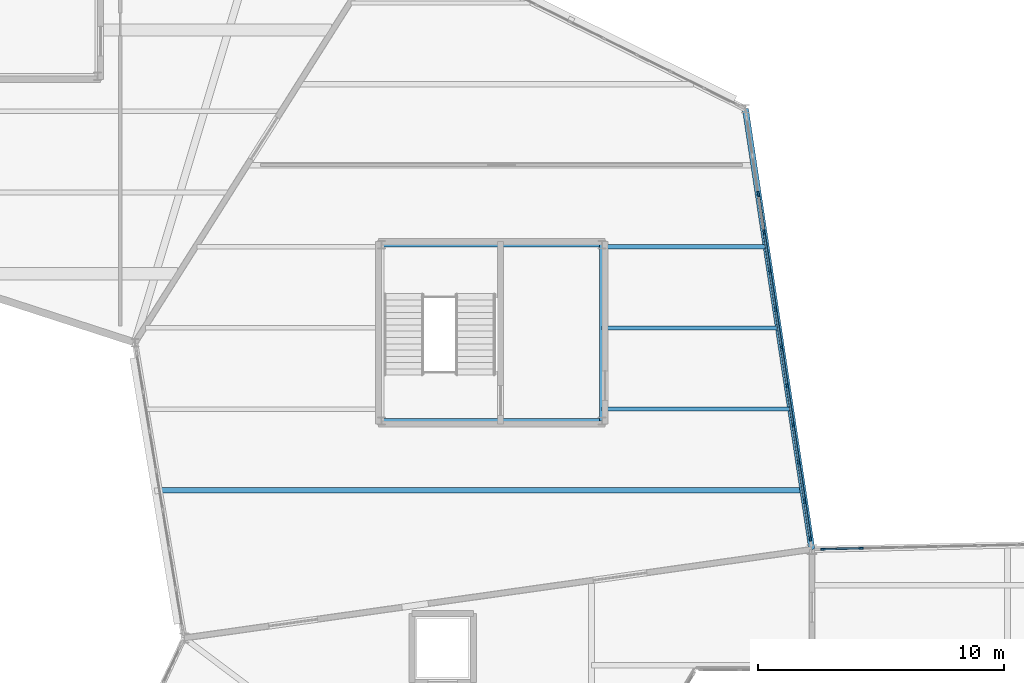
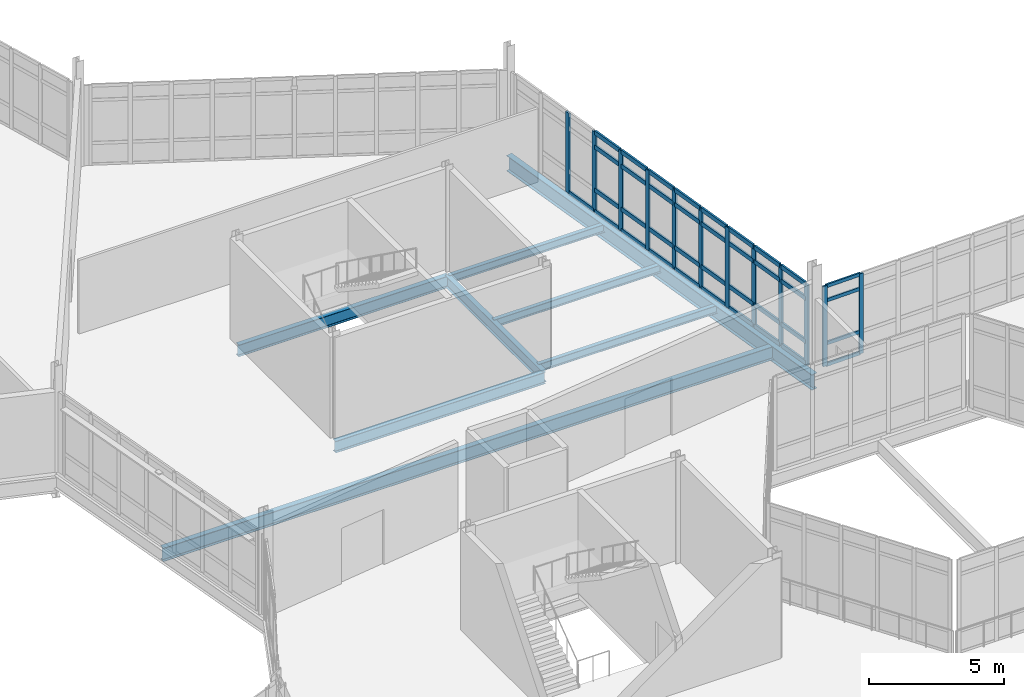
# One storey, part 46 of 134: 49 members, 8 beams, 2 elements without a shape of their own.
"""IFC4 building model written with IfcOpenShell, lengths in metres."""

from ifc_helpers import new_model, si_unit, direction, frame, origin, origin_2d, place, context, subcontext, project, spatial, rectangle, i_section, extrude, material, material_profile, profile_set, type_object, element, aggregate, save


model = new_model("IFC4")

# Units and contexts
model_context = context("Model", 3, precision=1e-05, world=origin(), true_north=direction((0.0, 1.0)))
body_context = subcontext(model_context, "Body", "Model", "MODEL_VIEW")
ifc_project = project(units=[si_unit("LENGTHUNIT", "METRE"), si_unit("AREAUNIT", "SQUARE_METRE"), si_unit("VOLUMEUNIT", "CUBIC_METRE"), si_unit("PLANEANGLEUNIT", "RADIAN"), si_unit("MASSUNIT", "GRAM", prefix="KILO")], contexts=[model_context])

# Site, building, storey
site_placement = place(None, origin())
site = spatial("IfcSite", under=ifc_project, at=site_placement, CompositionType="ELEMENT")
building_placement = place(site_placement, origin())
building = spatial("IfcBuilding", under=site, at=building_placement, Name="Tameran Prism Museum", CompositionType="ELEMENT")
storey_placement = place(building_placement, frame((0.0, 0.0, 5.39990234375)))
storey = spatial("IfcBuildingStorey", under=building, at=storey_placement, Name="L01", CompositionType="ELEMENT", Elevation=5.39990234375)

# Beams
ifc_material_1 = material(Name="Steel Grade 300PLUS (300 MPa)", Category="steel")
ifc_material_profile_1 = material_profile(ifc_material_1, i_section(OverallWidth=0.172119140625, OverallDepth=0.35888671875, WebThickness=0.008056640625, FlangeThickness=0.012939453125, FilletRadius=0.011474609375, at=origin_2d()))
ifc_profile_set_1 = profile_set([ifc_material_profile_1])
beam_type_1 = type_object("IfcBeamType", Name="BM-J360A", PredefinedType="JOIST", material=ifc_profile_set_1)
beam_1_placement = place(storey_placement, frame((68.97998046875, 53.89990234375, -0.37939453125), z_axis=(1.0, 0.0, 0.0), x_axis=(0.0, 1.0, 0.0)))
element("IfcBeam", 1, at=beam_1_placement, inside=storey, type_object=beam_type_1, Name="Floor Beam BM-0553", PredefinedType="JOIST", context=body_context, shape_type="SweptSolid", body=[
    extrude(i_section(OverallWidth=0.172119140625, OverallDepth=0.35888671875, WebThickness=0.008056640625, FlangeThickness=0.012939453125, FilletRadius=0.011474609375, at=origin_2d()), origin(), (0.0, 0.0, 1.0), 7.6201171875),
])
beam_2_placement = place(storey_placement, frame((68.97998046875, 60.5, -0.37939453125), z_axis=(1.0, 0.0, 0.0), x_axis=(0.0, 1.0, 0.0)))
element("IfcBeam", 2, at=beam_2_placement, inside=storey, type_object=beam_type_1, Name="Floor Beam BM-0557", PredefinedType="JOIST", context=body_context, shape_type="SweptSolid", body=[
    extrude(i_section(OverallWidth=0.172119140625, OverallDepth=0.35888671875, WebThickness=0.008056640625, FlangeThickness=0.012939453125, FilletRadius=0.011474609375, at=origin_2d()), origin(), (0.0, 0.0, 1.0), 6.6240234375),
])
ifc_material_2 = material(Name="Steel Grade 300PLUS (300 MPa)", Category="steel")
ifc_material_profile_2 = material_profile(ifc_material_2, i_section(OverallWidth=0.1708984375, OverallDepth=0.35595703125, WebThickness=0.00732421875, FlangeThickness=0.011474609375, FilletRadius=0.011474609375, at=origin_2d()))
ifc_profile_set_2 = profile_set([ifc_material_profile_2])
beam_type_2 = type_object("IfcBeamType", Name="BM-J360B", PredefinedType="JOIST", material=ifc_profile_set_2)
beam_3_placement = place(storey_placement, frame((68.97998046875, 57.199951171875, -0.3779296875), z_axis=(1.0, 0.0, 0.0), x_axis=(0.0, 1.0, 0.0)))
element("IfcBeam", 3, at=beam_3_placement, inside=storey, type_object=beam_type_2, Name="Floor Beam BM-0555", PredefinedType="JOIST", context=body_context, shape_type="SweptSolid", body=[
    extrude(i_section(OverallWidth=0.1708984375, OverallDepth=0.35595703125, WebThickness=0.00732421875, FlangeThickness=0.011474609375, FilletRadius=0.011474609375, at=origin_2d()), origin(), (0.0, 0.0, 1.0), 7.1220703125),
])
ifc_material_3 = material(Name="Steel Grade 300PLUS (300 MPa)", Category="steel")
ifc_material_profile_3 = material_profile(ifc_material_3, i_section(OverallWidth=0.208984375, OverallDepth=0.528076171875, WebThickness=0.009521484375, FlangeThickness=0.01318359375, FilletRadius=0.013916015625, at=origin_2d()))
ifc_profile_set_3 = profile_set([ifc_material_profile_3])
beam_type_3 = type_object("IfcBeamType", Name="BM-SP530B", PredefinedType="SPANDREL", material=ifc_profile_set_3)
beam_4_placement = place(storey_placement, frame((60.02001953125, 53.419921875, -0.50390625), z_axis=(1.0, 0.0, 0.0), x_axis=(0.0, 1.0, 0.0)))
element("IfcBeam", 4, at=beam_4_placement, inside=storey, type_object=beam_type_3, Name="Core Ring Beam CTB-0454", PredefinedType="SPANDREL", context=body_context, shape_type="SweptSolid", body=[
    extrude(i_section(OverallWidth=0.208984375, OverallDepth=0.528076171875, WebThickness=0.009521484375, FlangeThickness=0.01318359375, FilletRadius=0.013916015625, at=origin_2d()), origin(), (0.0, 0.0, 1.0), 8.9599609375),
])
beam_5_placement = place(storey_placement, frame((68.97998046875, 53.419921875, -0.50390625), z_axis=(0.0, 1.0, 0.0), x_axis=(-1.0, 0.0, 0.0)))
element("IfcBeam", 5, at=beam_5_placement, inside=storey, type_object=beam_type_3, Name="Core Ring Beam CTB-0455", PredefinedType="SPANDREL", context=body_context, shape_type="SweptSolid", body=[
    extrude(i_section(OverallWidth=0.208984375, OverallDepth=0.528076171875, WebThickness=0.009521484375, FlangeThickness=0.01318359375, FilletRadius=0.013916015625, at=origin_2d()), origin(), (0.0, 0.0, 1.0), 7.16015625),
])
beam_6_placement = place(storey_placement, frame((68.97998046875, 60.580078125, -0.50390625), z_axis=(-1.0, 0.0, 0.0), x_axis=(0.0, -1.0, 0.0)))
element("IfcBeam", 6, at=beam_6_placement, inside=storey, type_object=beam_type_3, Name="Core Ring Beam CTB-0456", PredefinedType="SPANDREL", context=body_context, shape_type="SweptSolid", body=[
    extrude(i_section(OverallWidth=0.208984375, OverallDepth=0.528076171875, WebThickness=0.009521484375, FlangeThickness=0.01318359375, FilletRadius=0.013916015625, at=origin_2d()), origin(), (0.0, 0.0, 1.0), 8.9599609375),
])
ifc_material_4 = material(Name="Steel Grade 350 (350 MPa)", Category="steel")
ifc_material_profile_4 = material_profile(ifc_material_4, i_section(OverallWidth=0.25, OverallDepth=0.699951171875, WebThickness=0.010009765625, FlangeThickness=0.02001953125, at=origin_2d()))
ifc_profile_set_4 = profile_set([ifc_material_profile_4])
beam_type_4 = type_object("IfcBeamType", Name="BM-SP700", PredefinedType="SPANDREL", material=ifc_profile_set_4)
beam_7_placement = place(storey_placement, frame((77.5, 48.199951171875, -0.5498046875), z_axis=(-0.149146954301, 0.988815041361, 0.0), x_axis=(-0.988815041361, -0.149146954301, 0.0)))
element("IfcBeam", 7, at=beam_7_placement, inside=storey, type_object=beam_type_4, Name="Perimeter Spandrel SP-0357", PredefinedType="SPANDREL", context=body_context, shape_type="SweptSolid", body=[
    extrude(i_section(OverallWidth=0.25, OverallDepth=0.699951171875, WebThickness=0.010009765625, FlangeThickness=0.02001953125, at=origin_2d()), origin(), (0.0, 0.0, 1.0), 18.1025390625),
])
ifc_material_5 = material(Name="Steel Grade 300PLUS (300 MPa)", Category="steel")
ifc_material_profile_5 = material_profile(ifc_material_5, i_section(OverallWidth=0.22802734375, OverallDepth=0.60693359375, WebThickness=0.01123046875, FlangeThickness=0.017333984375, FilletRadius=0.013916015625, at=origin_2d()))
ifc_profile_set_5 = profile_set([ifc_material_profile_5])
beam_type_5 = type_object("IfcBeamType", Name="BM-UB610B", PredefinedType="BEAM", material=ifc_profile_set_5)
beam_8_placement = place(storey_placement, frame((51.041015625, 50.60009765625, -0.50341796875), z_axis=(1.0, 0.0, 0.0), x_axis=(0.0, 1.0, 0.0)))
element("IfcBeam", 8, at=beam_8_placement, inside=storey, type_object=beam_type_5, Name="Floor Beam BM-0551", PredefinedType="BEAM", context=body_context, shape_type="SweptSolid", body=[
    extrude(i_section(OverallWidth=0.22802734375, OverallDepth=0.60693359375, WebThickness=0.01123046875, FlangeThickness=0.017333984375, FilletRadius=0.013916015625, at=origin_2d()), origin(), (0.0, 0.0, 1.0), 26.056884765625),
])

# Curtain wall, members
ifc_material_6 = material(Name="Anodised Aluminium 6063-T6 and Cyclone Solar Glass", Category="aluminium")
curtain_wall_type_1 = type_object("IfcCurtainWallType", Name="CW-FAC-1754x362", PredefinedType="USERDEFINED", material=ifc_material_6)
curtain_wall_1_placement = place(storey_placement, origin())
curtain_wall_1 = element("IfcCurtainWall", 9, at=curtain_wall_1_placement, inside=storey, type_object=curtain_wall_type_1, Name="Unitised Curtain Wall CW-068", ObjectType="UNITISED CURTAIN WALL", PredefinedType="USERDEFINED")
ifc_material_7 = material(Name="Anodised Aluminium Alloy 6063-T6", Category="aluminium")
ifc_material_profile_6 = material_profile(ifc_material_7, rectangle(XDim=0.070068359375, YDim=0.179931640625, at=origin_2d()))
ifc_profile_set_6 = profile_set([ifc_material_profile_6])
member_type_1 = type_object("IfcMemberType", Name="CW-MUL-B", PredefinedType="MULLION", material=ifc_profile_set_6)
member_1_placement = place(storey_placement, frame((77.945068359375, 48.209716796875, 0.0), z_axis=(0.0, 0.0, 1.0), x_axis=(-0.021830600058, 0.999761684053, 0.0)))
member_1 = element("IfcMember", 10, at=member_1_placement, type_object=member_type_1, Name="CW-068 mullion 1", PredefinedType="MULLION", context=body_context, shape_type="SweptSolid", body=[
    extrude(rectangle(XDim=0.070068359375, YDim=0.179931640625, at=origin_2d()), origin(), (0.0, 0.0, 1.0), 3.6201171875),
])
member_2_placement = place(storey_placement, frame((79.504638671875, 48.243896484375, 0.0), z_axis=(0.0, 0.0, 1.0), x_axis=(-0.021830600058, 0.999761684053, 0.0)))
member_2 = element("IfcMember", 11, at=member_2_placement, type_object=member_type_1, Name="CW-068 mullion 2", PredefinedType="MULLION", context=body_context, shape_type="SweptSolid", body=[
    extrude(rectangle(XDim=0.070068359375, YDim=0.179931640625, at=origin_2d()), origin(), (0.0, 0.0, 1.0), 3.6201171875),
])

ifc_material_8 = material(Name="Anodised Aluminium 6063-T6 and Cyclone Solar Glass", Category="aluminium")
curtain_wall_type_2 = type_object("IfcCurtainWallType", Name="CW-FAC-1734x362", PredefinedType="USERDEFINED", material=ifc_material_8)
curtain_wall_2_placement = place(storey_placement, origin())
curtain_wall_2 = element("IfcCurtainWall", 12, at=curtain_wall_2_placement, inside=storey, type_object=curtain_wall_type_2, Name="Unitised Curtain Wall CW-070", ObjectType="UNITISED CURTAIN WALL", PredefinedType="USERDEFINED")
ifc_material_9 = material(Name="Anodised Aluminium Alloy 6063-T6", Category="aluminium")
ifc_material_profile_7 = material_profile(ifc_material_9, rectangle(XDim=0.080078125, YDim=0.219970703125, at=origin_2d()))
ifc_profile_set_7 = profile_set([ifc_material_profile_7])
member_type_2 = type_object("IfcMemberType", Name="CW-MUL-D", PredefinedType="MULLION", material=ifc_profile_set_7)
member_3_placement = place(storey_placement, frame((75.322265625, 62.635986328125, 0.0), z_axis=(0.0, 0.0, 1.0), x_axis=(0.988812088052, 0.149166532852, 0.0)))
member_3 = element("IfcMember", 13, at=member_3_placement, type_object=member_type_2, Name="CW-070 mullion 3", PredefinedType="MULLION", context=body_context, shape_type="SweptSolid", body=[
    extrude(rectangle(XDim=0.080078125, YDim=0.219970703125, at=origin_2d()), origin(), (0.0, 0.0, 1.0), 3.6201171875),
])
member_4_placement = place(storey_placement, frame((75.5576171875, 61.076904296875, 0.0), z_axis=(0.0, 0.0, 1.0), x_axis=(0.988812088052, 0.149166532852, 0.0)))
member_4 = element("IfcMember", 14, at=member_4_placement, type_object=member_type_2, Name="CW-070 mullion 4", PredefinedType="MULLION", context=body_context, shape_type="SweptSolid", body=[
    extrude(rectangle(XDim=0.080078125, YDim=0.219970703125, at=origin_2d()), origin(), (0.0, 0.0, 1.0), 3.6201171875),
])
member_5_placement = place(storey_placement, frame((75.792724609375, 59.51806640625, 0.0), z_axis=(0.0, 0.0, 1.0), x_axis=(0.988812088052, 0.149166532852, 0.0)))
member_5 = element("IfcMember", 15, at=member_5_placement, type_object=member_type_2, Name="CW-070 mullion 5", PredefinedType="MULLION", context=body_context, shape_type="SweptSolid", body=[
    extrude(rectangle(XDim=0.080078125, YDim=0.219970703125, at=origin_2d()), origin(), (0.0, 0.0, 1.0), 3.6201171875),
])
member_6_placement = place(storey_placement, frame((76.02783203125, 57.958984375, 0.0), z_axis=(0.0, 0.0, 1.0), x_axis=(0.988812088052, 0.149166532852, 0.0)))
member_6 = element("IfcMember", 16, at=member_6_placement, type_object=member_type_2, Name="CW-070 mullion 6", PredefinedType="MULLION", context=body_context, shape_type="SweptSolid", body=[
    extrude(rectangle(XDim=0.080078125, YDim=0.219970703125, at=origin_2d()), origin(), (0.0, 0.0, 1.0), 3.6201171875),
])
member_7_placement = place(storey_placement, frame((76.26318359375, 56.39990234375, 0.0), z_axis=(0.0, 0.0, 1.0), x_axis=(0.988812088052, 0.149166532852, 0.0)))
member_7 = element("IfcMember", 17, at=member_7_placement, type_object=member_type_2, Name="CW-070 mullion 7", PredefinedType="MULLION", context=body_context, shape_type="SweptSolid", body=[
    extrude(rectangle(XDim=0.080078125, YDim=0.219970703125, at=origin_2d()), origin(), (0.0, 0.0, 1.0), 3.6201171875),
])
member_8_placement = place(storey_placement, frame((76.498291015625, 54.841064453125, 0.0), z_axis=(0.0, 0.0, 1.0), x_axis=(0.988812088052, 0.149166532852, 0.0)))
member_8 = element("IfcMember", 18, at=member_8_placement, type_object=member_type_2, Name="CW-070 mullion 8", PredefinedType="MULLION", context=body_context, shape_type="SweptSolid", body=[
    extrude(rectangle(XDim=0.080078125, YDim=0.219970703125, at=origin_2d()), origin(), (0.0, 0.0, 1.0), 3.6201171875),
])
member_9_placement = place(storey_placement, frame((76.7333984375, 53.281982421875, 0.0), z_axis=(0.0, 0.0, 1.0), x_axis=(0.988812088052, 0.149166532852, 0.0)))
member_9 = element("IfcMember", 19, at=member_9_placement, type_object=member_type_2, Name="CW-070 mullion 9", PredefinedType="MULLION", context=body_context, shape_type="SweptSolid", body=[
    extrude(rectangle(XDim=0.080078125, YDim=0.219970703125, at=origin_2d()), origin(), (0.0, 0.0, 1.0), 3.6201171875),
])
member_10_placement = place(storey_placement, frame((76.96875, 51.722900390625, 0.0), z_axis=(0.0, 0.0, 1.0), x_axis=(0.988812088052, 0.149166532852, 0.0)))
member_10 = element("IfcMember", 20, at=member_10_placement, type_object=member_type_2, Name="CW-070 mullion 10", PredefinedType="MULLION", context=body_context, shape_type="SweptSolid", body=[
    extrude(rectangle(XDim=0.080078125, YDim=0.219970703125, at=origin_2d()), origin(), (0.0, 0.0, 1.0), 3.6201171875),
])
member_11_placement = place(storey_placement, frame((77.203857421875, 50.1640625, 0.0), z_axis=(0.0, 0.0, 1.0), x_axis=(0.988812088052, 0.149166532852, 0.0)))
member_11 = element("IfcMember", 21, at=member_11_placement, type_object=member_type_2, Name="CW-070 mullion 11", PredefinedType="MULLION", context=body_context, shape_type="SweptSolid", body=[
    extrude(rectangle(XDim=0.080078125, YDim=0.219970703125, at=origin_2d()), origin(), (0.0, 0.0, 1.0), 3.6201171875),
])
member_12_placement = place(storey_placement, frame((77.43310546875, 48.64453125, 0.0), z_axis=(0.0, 0.0, 1.0), x_axis=(0.988812088052, 0.149166532852, 0.0)))
member_12 = element("IfcMember", 22, at=member_12_placement, type_object=member_type_2, Name="CW-070 mullion 12", PredefinedType="MULLION", context=body_context, shape_type="SweptSolid", body=[
    extrude(rectangle(XDim=0.080078125, YDim=0.219970703125, at=origin_2d()), origin(), (0.0, 0.0, 1.0), 3.6201171875),
])

# Member
ifc_material_10 = material(Name="Anodised Aluminium Alloy 6063-T6", Category="aluminium")
ifc_material_profile_8 = material_profile(ifc_material_10, rectangle(XDim=0.070068359375, YDim=0.155029296875, at=origin_2d()))
ifc_profile_set_8 = profile_set([ifc_material_profile_8])
member_type_3 = type_object("IfcMemberType", Name="CW-TRN-B", PredefinedType="USERDEFINED", material=ifc_profile_set_8)
member_13_placement = place(storey_placement, frame((77.97998046875, 48.21044921875, 0.03515625), z_axis=(0.999758887094, 0.021958316812, 0.0), x_axis=(-0.021958316812, 0.999758887094, 0.0)))
member_13 = element("IfcMember", 23, at=member_13_placement, type_object=member_type_3, Name="CW-068 transom 1.1", ObjectType="TRANSOM", PredefinedType="USERDEFINED", context=body_context, shape_type="SweptSolid", body=[
    extrude(rectangle(XDim=0.070068359375, YDim=0.155029296875, at=origin_2d()), origin(), (0.0, 0.0, 1.0), 1.48974609375),
])

member_14_placement = place(storey_placement, frame((77.97998046875, 48.21044921875, 1.0), z_axis=(0.999758887094, 0.021958316812, 0.0), x_axis=(-0.021958316812, 0.999758887094, 0.0)))
member_14 = element("IfcMember", 24, at=member_14_placement, type_object=member_type_3, Name="CW-068 transom 1.2", ObjectType="TRANSOM", PredefinedType="USERDEFINED", context=body_context, shape_type="SweptSolid", body=[
    extrude(rectangle(XDim=0.070068359375, YDim=0.155029296875, at=origin_2d()), origin(), (0.0, 0.0, 1.0), 1.48974609375),
])

member_15_placement = place(storey_placement, frame((77.97998046875, 48.21044921875, 2.940185546875), z_axis=(0.999758887094, 0.021958316812, 0.0), x_axis=(-0.021958316812, 0.999758887094, 0.0)))
member_15 = element("IfcMember", 25, at=member_15_placement, type_object=member_type_3, Name="CW-068 transom 1.3", ObjectType="TRANSOM", PredefinedType="USERDEFINED", context=body_context, shape_type="SweptSolid", body=[
    extrude(rectangle(XDim=0.070068359375, YDim=0.155029296875, at=origin_2d()), origin(), (0.0, 0.0, 1.0), 1.48974609375),
])

member_16_placement = place(storey_placement, frame((77.97998046875, 48.21044921875, 3.585205078125), z_axis=(0.999758887094, 0.021958316812, 0.0), x_axis=(-0.021958316812, 0.999758887094, 0.0)))
member_16 = element("IfcMember", 26, at=member_16_placement, type_object=member_type_3, Name="CW-068 transom 1.4", ObjectType="TRANSOM", PredefinedType="USERDEFINED", context=body_context, shape_type="SweptSolid", body=[
    extrude(rectangle(XDim=0.070068359375, YDim=0.155029296875, at=origin_2d()), origin(), (0.0, 0.0, 1.0), 1.48974609375),
])

aggregate(curtain_wall_1, [member_1, member_2, member_13, member_14, member_15, member_16])

ifc_material_11 = material(Name="Anodised Aluminium Alloy 6063-T6", Category="aluminium")
ifc_material_profile_9 = material_profile(ifc_material_11, rectangle(XDim=0.080078125, YDim=0.195068359375, at=origin_2d()))
ifc_profile_set_9 = profile_set([ifc_material_profile_9])
member_type_4 = type_object("IfcMemberType", Name="CW-TRN-D", PredefinedType="USERDEFINED", material=ifc_profile_set_9)
member_17_placement = place(storey_placement, frame((75.328369140625, 62.596435546875, 0.0400390625), z_axis=(0.149090196477, -0.988823600707, 0.0), x_axis=(0.988823600707, 0.149090196477, 0.0)))
member_17 = element("IfcMember", 27, at=member_17_placement, type_object=member_type_4, Name="CW-070 transom 3.1", ObjectType="TRANSOM", PredefinedType="USERDEFINED", context=body_context, shape_type="SweptSolid", body=[
    extrude(rectangle(XDim=0.080078125, YDim=0.195068359375, at=origin_2d()), origin(), (0.0, 0.0, 1.0), 1.496826171875),
])

member_18_placement = place(storey_placement, frame((75.5634765625, 61.037353515625, 0.0400390625), z_axis=(0.149273759197, -0.988795906553, 0.0), x_axis=(0.988795906553, 0.149273759197, 0.0)))
member_18 = element("IfcMember", 28, at=member_18_placement, type_object=member_type_4, Name="CW-070 transom 4.1", ObjectType="TRANSOM", PredefinedType="USERDEFINED", context=body_context, shape_type="SweptSolid", body=[
    extrude(rectangle(XDim=0.080078125, YDim=0.195068359375, at=origin_2d()), origin(), (0.0, 0.0, 1.0), 1.49658203125),
])

member_19_placement = place(storey_placement, frame((75.5634765625, 61.037353515625, 1.0), z_axis=(0.149273759197, -0.988795906553, 0.0), x_axis=(0.988795906553, 0.149273759197, 0.0)))
member_19 = element("IfcMember", 29, at=member_19_placement, type_object=member_type_4, Name="CW-070 transom 4.2", ObjectType="TRANSOM", PredefinedType="USERDEFINED", context=body_context, shape_type="SweptSolid", body=[
    extrude(rectangle(XDim=0.080078125, YDim=0.195068359375, at=origin_2d()), origin(), (0.0, 0.0, 1.0), 1.49658203125),
])

member_20_placement = place(storey_placement, frame((75.5634765625, 61.037353515625, 2.940185546875), z_axis=(0.149273759197, -0.988795906553, 0.0), x_axis=(0.988795906553, 0.149273759197, 0.0)))
member_20 = element("IfcMember", 30, at=member_20_placement, type_object=member_type_4, Name="CW-070 transom 4.3", ObjectType="TRANSOM", PredefinedType="USERDEFINED", context=body_context, shape_type="SweptSolid", body=[
    extrude(rectangle(XDim=0.080078125, YDim=0.195068359375, at=origin_2d()), origin(), (0.0, 0.0, 1.0), 1.49658203125),
])

member_21_placement = place(storey_placement, frame((75.5634765625, 61.037353515625, 3.580078125), z_axis=(0.149273759197, -0.988795906553, 0.0), x_axis=(0.988795906553, 0.149273759197, 0.0)))
member_21 = element("IfcMember", 31, at=member_21_placement, type_object=member_type_4, Name="CW-070 transom 4.4", ObjectType="TRANSOM", PredefinedType="USERDEFINED", context=body_context, shape_type="SweptSolid", body=[
    extrude(rectangle(XDim=0.080078125, YDim=0.195068359375, at=origin_2d()), origin(), (0.0, 0.0, 1.0), 1.49658203125),
])

member_22_placement = place(storey_placement, frame((75.798583984375, 59.478515625, 0.0400390625), z_axis=(0.149249683257, -0.988799540882, 0.0), x_axis=(0.988799540882, 0.149249683257, 0.0)))
member_22 = element("IfcMember", 32, at=member_22_placement, type_object=member_type_4, Name="CW-070 transom 5.1", ObjectType="TRANSOM", PredefinedType="USERDEFINED", context=body_context, shape_type="SweptSolid", body=[
    extrude(rectangle(XDim=0.080078125, YDim=0.195068359375, at=origin_2d()), origin(), (0.0, 0.0, 1.0), 1.496826171875),
])

member_23_placement = place(storey_placement, frame((75.798583984375, 59.478515625, 1.0), z_axis=(0.149249683257, -0.988799540882, 0.0), x_axis=(0.988799540882, 0.149249683257, 0.0)))
member_23 = element("IfcMember", 33, at=member_23_placement, type_object=member_type_4, Name="CW-070 transom 5.2", ObjectType="TRANSOM", PredefinedType="USERDEFINED", context=body_context, shape_type="SweptSolid", body=[
    extrude(rectangle(XDim=0.080078125, YDim=0.195068359375, at=origin_2d()), origin(), (0.0, 0.0, 1.0), 1.496826171875),
])

member_24_placement = place(storey_placement, frame((75.798583984375, 59.478515625, 2.940185546875), z_axis=(0.149249683257, -0.988799540882, 0.0), x_axis=(0.988799540882, 0.149249683257, 0.0)))
member_24 = element("IfcMember", 34, at=member_24_placement, type_object=member_type_4, Name="CW-070 transom 5.3", ObjectType="TRANSOM", PredefinedType="USERDEFINED", context=body_context, shape_type="SweptSolid", body=[
    extrude(rectangle(XDim=0.080078125, YDim=0.195068359375, at=origin_2d()), origin(), (0.0, 0.0, 1.0), 1.496826171875),
])

member_25_placement = place(storey_placement, frame((75.798583984375, 59.478515625, 3.580078125), z_axis=(0.149249683257, -0.988799540882, 0.0), x_axis=(0.988799540882, 0.149249683257, 0.0)))
member_25 = element("IfcMember", 35, at=member_25_placement, type_object=member_type_4, Name="CW-070 transom 5.4", ObjectType="TRANSOM", PredefinedType="USERDEFINED", context=body_context, shape_type="SweptSolid", body=[
    extrude(rectangle(XDim=0.080078125, YDim=0.195068359375, at=origin_2d()), origin(), (0.0, 0.0, 1.0), 1.496826171875),
])

member_26_placement = place(storey_placement, frame((76.033935546875, 57.91943359375, 0.0400390625), z_axis=(0.149090196477, -0.988823600707, 0.0), x_axis=(0.988823600707, 0.149090196477, 0.0)))
member_26 = element("IfcMember", 36, at=member_26_placement, type_object=member_type_4, Name="CW-070 transom 6.1", ObjectType="TRANSOM", PredefinedType="USERDEFINED", context=body_context, shape_type="SweptSolid", body=[
    extrude(rectangle(XDim=0.080078125, YDim=0.195068359375, at=origin_2d()), origin(), (0.0, 0.0, 1.0), 1.496826171875),
])

member_27_placement = place(storey_placement, frame((76.033935546875, 57.91943359375, 1.0), z_axis=(0.149090196477, -0.988823600707, 0.0), x_axis=(0.988823600707, 0.149090196477, 0.0)))
member_27 = element("IfcMember", 37, at=member_27_placement, type_object=member_type_4, Name="CW-070 transom 6.2", ObjectType="TRANSOM", PredefinedType="USERDEFINED", context=body_context, shape_type="SweptSolid", body=[
    extrude(rectangle(XDim=0.080078125, YDim=0.195068359375, at=origin_2d()), origin(), (0.0, 0.0, 1.0), 1.496826171875),
])

member_28_placement = place(storey_placement, frame((76.033935546875, 57.91943359375, 2.940185546875), z_axis=(0.149090196477, -0.988823600707, 0.0), x_axis=(0.988823600707, 0.149090196477, 0.0)))
member_28 = element("IfcMember", 38, at=member_28_placement, type_object=member_type_4, Name="CW-070 transom 6.3", ObjectType="TRANSOM", PredefinedType="USERDEFINED", context=body_context, shape_type="SweptSolid", body=[
    extrude(rectangle(XDim=0.080078125, YDim=0.195068359375, at=origin_2d()), origin(), (0.0, 0.0, 1.0), 1.496826171875),
])

member_29_placement = place(storey_placement, frame((76.033935546875, 57.91943359375, 3.580078125), z_axis=(0.149090196477, -0.988823600707, 0.0), x_axis=(0.988823600707, 0.149090196477, 0.0)))
member_29 = element("IfcMember", 39, at=member_29_placement, type_object=member_type_4, Name="CW-070 transom 6.4", ObjectType="TRANSOM", PredefinedType="USERDEFINED", context=body_context, shape_type="SweptSolid", body=[
    extrude(rectangle(XDim=0.080078125, YDim=0.195068359375, at=origin_2d()), origin(), (0.0, 0.0, 1.0), 1.496826171875),
])

member_30_placement = place(storey_placement, frame((76.26904296875, 56.3603515625, 0.0400390625), z_axis=(0.149114247861, -0.988819974052, 0.0), x_axis=(0.988819974052, 0.149114247861, 0.0)))
member_30 = element("IfcMember", 40, at=member_30_placement, type_object=member_type_4, Name="CW-070 transom 7.1", ObjectType="TRANSOM", PredefinedType="USERDEFINED", context=body_context, shape_type="SweptSolid", body=[
    extrude(rectangle(XDim=0.080078125, YDim=0.195068359375, at=origin_2d()), origin(), (0.0, 0.0, 1.0), 1.49658203125),
])

member_31_placement = place(storey_placement, frame((76.26904296875, 56.3603515625, 1.0), z_axis=(0.149114247861, -0.988819974052, 0.0), x_axis=(0.988819974052, 0.149114247861, 0.0)))
member_31 = element("IfcMember", 41, at=member_31_placement, type_object=member_type_4, Name="CW-070 transom 7.2", ObjectType="TRANSOM", PredefinedType="USERDEFINED", context=body_context, shape_type="SweptSolid", body=[
    extrude(rectangle(XDim=0.080078125, YDim=0.195068359375, at=origin_2d()), origin(), (0.0, 0.0, 1.0), 1.49658203125),
])

member_32_placement = place(storey_placement, frame((76.26904296875, 56.3603515625, 2.940185546875), z_axis=(0.149114247861, -0.988819974052, 0.0), x_axis=(0.988819974052, 0.149114247861, 0.0)))
member_32 = element("IfcMember", 42, at=member_32_placement, type_object=member_type_4, Name="CW-070 transom 7.3", ObjectType="TRANSOM", PredefinedType="USERDEFINED", context=body_context, shape_type="SweptSolid", body=[
    extrude(rectangle(XDim=0.080078125, YDim=0.195068359375, at=origin_2d()), origin(), (0.0, 0.0, 1.0), 1.49658203125),
])

member_33_placement = place(storey_placement, frame((76.26904296875, 56.3603515625, 3.580078125), z_axis=(0.149114247861, -0.988819974052, 0.0), x_axis=(0.988819974052, 0.149114247861, 0.0)))
member_33 = element("IfcMember", 43, at=member_33_placement, type_object=member_type_4, Name="CW-070 transom 7.4", ObjectType="TRANSOM", PredefinedType="USERDEFINED", context=body_context, shape_type="SweptSolid", body=[
    extrude(rectangle(XDim=0.080078125, YDim=0.195068359375, at=origin_2d()), origin(), (0.0, 0.0, 1.0), 1.49658203125),
])

member_34_placement = place(storey_placement, frame((76.504150390625, 54.801513671875, 0.0400390625), z_axis=(0.149249683257, -0.988799540882, 0.0), x_axis=(0.988799540882, 0.149249683257, 0.0)))
member_34 = element("IfcMember", 44, at=member_34_placement, type_object=member_type_4, Name="CW-070 transom 8.1", ObjectType="TRANSOM", PredefinedType="USERDEFINED", context=body_context, shape_type="SweptSolid", body=[
    extrude(rectangle(XDim=0.080078125, YDim=0.195068359375, at=origin_2d()), origin(), (0.0, 0.0, 1.0), 1.496826171875),
])

member_35_placement = place(storey_placement, frame((76.504150390625, 54.801513671875, 1.0), z_axis=(0.149249683257, -0.988799540882, 0.0), x_axis=(0.988799540882, 0.149249683257, 0.0)))
member_35 = element("IfcMember", 45, at=member_35_placement, type_object=member_type_4, Name="CW-070 transom 8.2", ObjectType="TRANSOM", PredefinedType="USERDEFINED", context=body_context, shape_type="SweptSolid", body=[
    extrude(rectangle(XDim=0.080078125, YDim=0.195068359375, at=origin_2d()), origin(), (0.0, 0.0, 1.0), 1.496826171875),
])

member_36_placement = place(storey_placement, frame((76.504150390625, 54.801513671875, 2.940185546875), z_axis=(0.149249683257, -0.988799540882, 0.0), x_axis=(0.988799540882, 0.149249683257, 0.0)))
member_36 = element("IfcMember", 46, at=member_36_placement, type_object=member_type_4, Name="CW-070 transom 8.3", ObjectType="TRANSOM", PredefinedType="USERDEFINED", context=body_context, shape_type="SweptSolid", body=[
    extrude(rectangle(XDim=0.080078125, YDim=0.195068359375, at=origin_2d()), origin(), (0.0, 0.0, 1.0), 1.496826171875),
])

member_37_placement = place(storey_placement, frame((76.504150390625, 54.801513671875, 3.580078125), z_axis=(0.149249683257, -0.988799540882, 0.0), x_axis=(0.988799540882, 0.149249683257, 0.0)))
member_37 = element("IfcMember", 47, at=member_37_placement, type_object=member_type_4, Name="CW-070 transom 8.4", ObjectType="TRANSOM", PredefinedType="USERDEFINED", context=body_context, shape_type="SweptSolid", body=[
    extrude(rectangle(XDim=0.080078125, YDim=0.195068359375, at=origin_2d()), origin(), (0.0, 0.0, 1.0), 1.496826171875),
])

member_38_placement = place(storey_placement, frame((76.739501953125, 53.242431640625, 0.0400390625), z_axis=(0.149090196477, -0.988823600707, 0.0), x_axis=(0.988823600707, 0.149090196477, 0.0)))
member_38 = element("IfcMember", 48, at=member_38_placement, type_object=member_type_4, Name="CW-070 transom 9.1", ObjectType="TRANSOM", PredefinedType="USERDEFINED", context=body_context, shape_type="SweptSolid", body=[
    extrude(rectangle(XDim=0.080078125, YDim=0.195068359375, at=origin_2d()), origin(), (0.0, 0.0, 1.0), 1.496826171875),
])

member_39_placement = place(storey_placement, frame((76.739501953125, 53.242431640625, 1.0), z_axis=(0.149090196477, -0.988823600707, 0.0), x_axis=(0.988823600707, 0.149090196477, 0.0)))
member_39 = element("IfcMember", 49, at=member_39_placement, type_object=member_type_4, Name="CW-070 transom 9.2", ObjectType="TRANSOM", PredefinedType="USERDEFINED", context=body_context, shape_type="SweptSolid", body=[
    extrude(rectangle(XDim=0.080078125, YDim=0.195068359375, at=origin_2d()), origin(), (0.0, 0.0, 1.0), 1.496826171875),
])

member_40_placement = place(storey_placement, frame((76.739501953125, 53.242431640625, 2.940185546875), z_axis=(0.149090196477, -0.988823600707, 0.0), x_axis=(0.988823600707, 0.149090196477, 0.0)))
member_40 = element("IfcMember", 50, at=member_40_placement, type_object=member_type_4, Name="CW-070 transom 9.3", ObjectType="TRANSOM", PredefinedType="USERDEFINED", context=body_context, shape_type="SweptSolid", body=[
    extrude(rectangle(XDim=0.080078125, YDim=0.195068359375, at=origin_2d()), origin(), (0.0, 0.0, 1.0), 1.496826171875),
])

member_41_placement = place(storey_placement, frame((76.739501953125, 53.242431640625, 3.580078125), z_axis=(0.149090196477, -0.988823600707, 0.0), x_axis=(0.988823600707, 0.149090196477, 0.0)))
member_41 = element("IfcMember", 51, at=member_41_placement, type_object=member_type_4, Name="CW-070 transom 9.4", ObjectType="TRANSOM", PredefinedType="USERDEFINED", context=body_context, shape_type="SweptSolid", body=[
    extrude(rectangle(XDim=0.080078125, YDim=0.195068359375, at=origin_2d()), origin(), (0.0, 0.0, 1.0), 1.496826171875),
])

member_42_placement = place(storey_placement, frame((76.974609375, 51.683349609375, 0.0400390625), z_axis=(0.149114247861, -0.988819974052, 0.0), x_axis=(0.988819974052, 0.149114247861, 0.0)))
member_42 = element("IfcMember", 52, at=member_42_placement, type_object=member_type_4, Name="CW-070 transom 10.1", ObjectType="TRANSOM", PredefinedType="USERDEFINED", context=body_context, shape_type="SweptSolid", body=[
    extrude(rectangle(XDim=0.080078125, YDim=0.195068359375, at=origin_2d()), origin(), (0.0, 0.0, 1.0), 1.49658203125),
])

member_43_placement = place(storey_placement, frame((76.974609375, 51.683349609375, 1.0), z_axis=(0.149114247861, -0.988819974052, 0.0), x_axis=(0.988819974052, 0.149114247861, 0.0)))
member_43 = element("IfcMember", 53, at=member_43_placement, type_object=member_type_4, Name="CW-070 transom 10.2", ObjectType="TRANSOM", PredefinedType="USERDEFINED", context=body_context, shape_type="SweptSolid", body=[
    extrude(rectangle(XDim=0.080078125, YDim=0.195068359375, at=origin_2d()), origin(), (0.0, 0.0, 1.0), 1.49658203125),
])

member_44_placement = place(storey_placement, frame((76.974609375, 51.683349609375, 2.940185546875), z_axis=(0.149114247861, -0.988819974052, 0.0), x_axis=(0.988819974052, 0.149114247861, 0.0)))
member_44 = element("IfcMember", 54, at=member_44_placement, type_object=member_type_4, Name="CW-070 transom 10.3", ObjectType="TRANSOM", PredefinedType="USERDEFINED", context=body_context, shape_type="SweptSolid", body=[
    extrude(rectangle(XDim=0.080078125, YDim=0.195068359375, at=origin_2d()), origin(), (0.0, 0.0, 1.0), 1.49658203125),
])

member_45_placement = place(storey_placement, frame((76.974609375, 51.683349609375, 3.580078125), z_axis=(0.149114247861, -0.988819974052, 0.0), x_axis=(0.988819974052, 0.149114247861, 0.0)))
member_45 = element("IfcMember", 55, at=member_45_placement, type_object=member_type_4, Name="CW-070 transom 10.4", ObjectType="TRANSOM", PredefinedType="USERDEFINED", context=body_context, shape_type="SweptSolid", body=[
    extrude(rectangle(XDim=0.080078125, YDim=0.195068359375, at=origin_2d()), origin(), (0.0, 0.0, 1.0), 1.49658203125),
])

member_46_placement = place(storey_placement, frame((77.209716796875, 50.12451171875, 0.0400390625), z_axis=(0.149159939586, -0.988813082651, 0.0), x_axis=(0.988813082651, 0.149159939586, 0.0)))
member_46 = element("IfcMember", 56, at=member_46_placement, type_object=member_type_4, Name="CW-070 transom 11.1", ObjectType="TRANSOM", PredefinedType="USERDEFINED", context=body_context, shape_type="SweptSolid", body=[
    extrude(rectangle(XDim=0.080078125, YDim=0.195068359375, at=origin_2d()), origin(), (0.0, 0.0, 1.0), 1.456787109375),
])

member_47_placement = place(storey_placement, frame((77.209716796875, 50.12451171875, 1.0), z_axis=(0.149159939586, -0.988813082651, 0.0), x_axis=(0.988813082651, 0.149159939586, 0.0)))
member_47 = element("IfcMember", 57, at=member_47_placement, type_object=member_type_4, Name="CW-070 transom 11.2", ObjectType="TRANSOM", PredefinedType="USERDEFINED", context=body_context, shape_type="SweptSolid", body=[
    extrude(rectangle(XDim=0.080078125, YDim=0.195068359375, at=origin_2d()), origin(), (0.0, 0.0, 1.0), 1.456787109375),
])

member_48_placement = place(storey_placement, frame((77.209716796875, 50.12451171875, 2.940185546875), z_axis=(0.149159939586, -0.988813082651, 0.0), x_axis=(0.988813082651, 0.149159939586, 0.0)))
member_48 = element("IfcMember", 58, at=member_48_placement, type_object=member_type_4, Name="CW-070 transom 11.3", ObjectType="TRANSOM", PredefinedType="USERDEFINED", context=body_context, shape_type="SweptSolid", body=[
    extrude(rectangle(XDim=0.080078125, YDim=0.195068359375, at=origin_2d()), origin(), (0.0, 0.0, 1.0), 1.456787109375),
])

member_49_placement = place(storey_placement, frame((77.209716796875, 50.12451171875, 3.580078125), z_axis=(0.149159939586, -0.988813082651, 0.0), x_axis=(0.988813082651, 0.149159939586, 0.0)))
member_49 = element("IfcMember", 59, at=member_49_placement, type_object=member_type_4, Name="CW-070 transom 11.4", ObjectType="TRANSOM", PredefinedType="USERDEFINED", context=body_context, shape_type="SweptSolid", body=[
    extrude(rectangle(XDim=0.080078125, YDim=0.195068359375, at=origin_2d()), origin(), (0.0, 0.0, 1.0), 1.456787109375),
])

aggregate(curtain_wall_2, [member_3, member_4, member_5, member_6, member_7, member_8, member_9, member_10, member_11, member_12, member_17, member_18, member_19, member_20, member_21, member_22, member_23, member_24, member_25, member_26, member_27, member_28, member_29, member_30, member_31, member_32, member_33, member_34, member_35, member_36, member_37, member_38, member_39, member_40, member_41, member_42, member_43, member_44, member_45, member_46, member_47, member_48, member_49])

save(model, "model.ifc")
